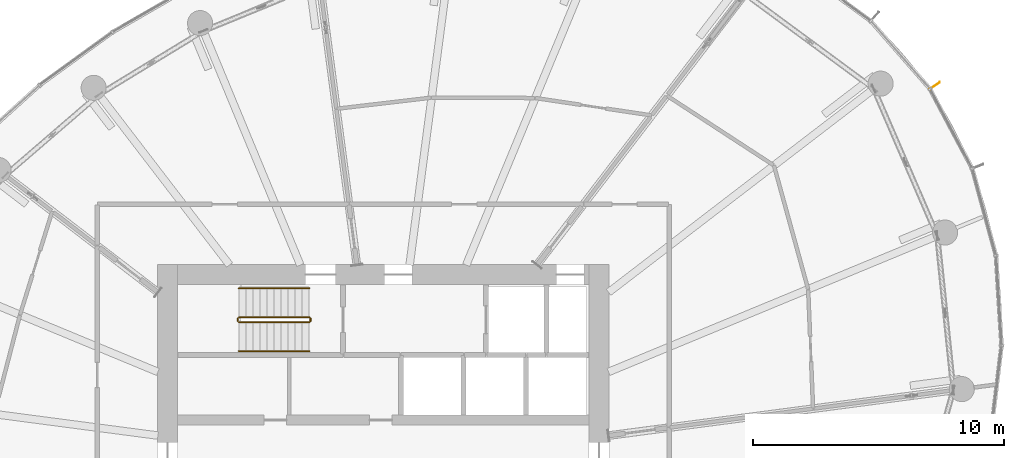
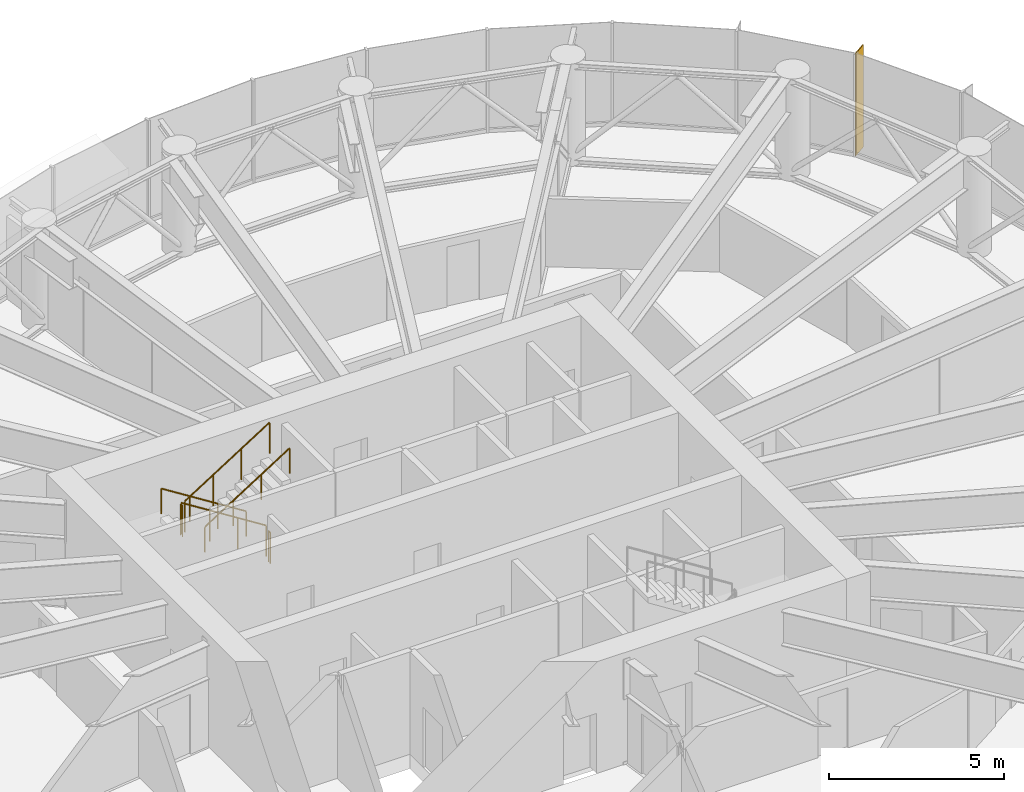
# One storey, part 24 of 25: 6 railings, 1 shading device.
"""IFC4 building model written with IfcOpenShell, lengths in metres."""

from ifc_helpers import new_model, si_unit, direction, frame, origin, origin_2d, place, context, subcontext, project, spatial, rectangle, circle, extrude, source, transform, mapped, material, material_profile, profile_set, type_object, element, save


model = new_model("IFC4")

# Units and contexts
model_context = context("Model", 3, precision=1e-05, world=origin(), true_north=direction((0.0, 1.0)))
body_context = subcontext(model_context, "Body", "Model", "MODEL_VIEW")
ifc_project = project(units=[si_unit("LENGTHUNIT", "METRE"), si_unit("AREAUNIT", "SQUARE_METRE"), si_unit("VOLUMEUNIT", "CUBIC_METRE"), si_unit("PLANEANGLEUNIT", "RADIAN"), si_unit("MASSUNIT", "GRAM", prefix="KILO")], contexts=[model_context])

# Site, building, storey
site_placement = place(None, origin())
site = spatial("IfcSite", under=ifc_project, at=site_placement, CompositionType="ELEMENT")
building_placement = place(site_placement, origin())
building = spatial("IfcBuilding", under=site, at=building_placement, Name="Spindrift Exchange Tower", CompositionType="ELEMENT")
storey_placement = place(building_placement, frame((0.0, 0.0, 179.89990234375)))
storey = spatial("IfcBuildingStorey", under=building, at=storey_placement, Name="L43", CompositionType="ELEMENT", Elevation=179.89990234375)

# Railings
ifc_material_1 = material(Name="Steel balustrade", Category="steel")
railing_type_1 = type_object("IfcRailingType", Name="RL-STAIR-GUARD", PredefinedType="GUARDRAIL", material=ifc_material_1)
railing_1_placement = place(storey_placement, frame((49.050048828125, 53.89990234375, 0.177490234375)))
element("IfcRailing", 1, at=railing_1_placement, inside=storey, type_object=railing_type_1, Name="L43 ST1 stair guard 1", PredefinedType="GUARDRAIL", context=body_context, shape_type="SweptSolid", body=[
    extrude(circle(Radius=0.02392578125, at=origin_2d()), frame((0.0, 0.0, 1.076171875), z_axis=(-0.844908973607, 0.0, 0.534910110503), x_axis=(0.0, -1.0, 0.0)), (0.0, 0.0, 1.0), 3.31396484375),
    extrude(circle(Radius=0.02099609375, at=origin_2d()), origin(), (0.0, 0.0, 1.0), 1.052001953125),
    extrude(circle(Radius=0.02099609375, at=origin_2d()), frame((-0.933349609375, 0.0, 0.5908203125)), (0.0, 0.0, 1.0), 1.052001953125),
    extrude(circle(Radius=0.02099609375, at=origin_2d()), frame((-1.86669921875, 0.0, 1.181884765625)), (0.0, 0.0, 1.0), 1.052001953125),
    extrude(circle(Radius=0.02099609375, at=origin_2d()), frame((-2.800048828125, 0.0, 1.772705078125)), (0.0, 0.0, 1.0), 1.052001953125),
])
railing_2_placement = place(storey_placement, frame((46.199951171875, 53.85009765625, 1.9501953125)))
element("IfcRailing", 2, at=railing_2_placement, inside=storey, type_object=railing_type_1, Name="L43 ST1 stair guard 2", PredefinedType="GUARDRAIL", context=body_context, shape_type="SweptSolid", body=[
    extrude(circle(Radius=0.02392578125, at=origin_2d()), frame((0.0, 0.0, 1.076171875), z_axis=(0.0, -1.0, 0.0), x_axis=(1.0, 0.0, 0.0)), (0.0, 0.0, 1.0), 0.10009765625),
    extrude(circle(Radius=0.02099609375, at=origin_2d()), origin(), (0.0, 0.0, 1.0), 1.052001953125),
    extrude(circle(Radius=0.02099609375, at=origin_2d()), frame((0.0, -0.10009765625, 0.0)), (0.0, 0.0, 1.0), 1.052001953125),
])
railing_3_placement = place(storey_placement, frame((46.25, 53.699951171875, 2.12744140625)))
element("IfcRailing", 3, at=railing_3_placement, inside=storey, type_object=railing_type_1, Name="L43 ST1 stair guard 3", PredefinedType="GUARDRAIL", context=body_context, shape_type="SweptSolid", body=[
    extrude(circle(Radius=0.02392578125, at=origin_2d()), frame((0.0, 0.0, 1.076171875), z_axis=(0.844908973607, 0.0, 0.534910110503), x_axis=(0.0, 1.0, 0.0)), (0.0, 0.0, 1.0), 3.31396484375),
    extrude(circle(Radius=0.02099609375, at=origin_2d()), origin(), (0.0, 0.0, 1.0), 1.052001953125),
    extrude(circle(Radius=0.02099609375, at=origin_2d()), frame((0.933349609375, 0.0, 0.5908203125)), (0.0, 0.0, 1.0), 1.052001953125),
    extrude(circle(Radius=0.02099609375, at=origin_2d()), frame((1.86669921875, 0.0, 1.181884765625)), (0.0, 0.0, 1.0), 1.052001953125),
    extrude(circle(Radius=0.02099609375, at=origin_2d()), frame((2.800048828125, 0.0, 1.772705078125)), (0.0, 0.0, 1.0), 1.052001953125),
])
railing_4_placement = place(storey_placement, frame((49.10009765625, 53.85009765625, 0.0)))
element("IfcRailing", 4, at=railing_4_placement, inside=storey, type_object=railing_type_1, Name="L43 ST1 stair guard 4", PredefinedType="GUARDRAIL", context=body_context, shape_type="SweptSolid", body=[
    extrude(circle(Radius=0.02392578125, at=origin_2d()), frame((0.0, 0.0, 1.076171875), z_axis=(0.0, -1.0, 0.0), x_axis=(1.0, 0.0, 0.0)), (0.0, 0.0, 1.0), 0.10009765625),
    extrude(circle(Radius=0.02099609375, at=origin_2d()), origin(), (0.0, 0.0, 1.0), 1.052001953125),
    extrude(circle(Radius=0.02099609375, at=origin_2d()), frame((0.0, -0.10009765625, 0.0)), (0.0, 0.0, 1.0), 1.052001953125),
])
ifc_material_2 = material(Name="Steel tubular handrail", Category="steel")
railing_type_2 = type_object("IfcRailingType", Name="RL-STAIR-HAND", PredefinedType="HANDRAIL", material=ifc_material_2)
railing_5_placement = place(storey_placement, frame((49.050048828125, 55.050048828125, 0.177490234375)))
element("IfcRailing", 5, at=railing_5_placement, inside=storey, type_object=railing_type_2, Name="L43 ST1 stair handrail 1", PredefinedType="HANDRAIL", context=body_context, shape_type="SweptSolid", body=[
    extrude(circle(Radius=0.02392578125, at=origin_2d()), frame((0.0, 0.0, 0.8759765625), z_axis=(-0.844908973607, 0.0, 0.534910110503), x_axis=(0.0, -1.0, 0.0)), (0.0, 0.0, 1.0), 3.31396484375),
    extrude(circle(Radius=0.02099609375, at=origin_2d()), origin(), (0.0, 0.0, 1.0), 0.851806640625),
    extrude(circle(Radius=0.02099609375, at=origin_2d()), frame((-0.933349609375, 0.0, 0.5908203125)), (0.0, 0.0, 1.0), 0.851806640625),
    extrude(circle(Radius=0.02099609375, at=origin_2d()), frame((-1.86669921875, 0.0, 1.181884765625)), (0.0, 0.0, 1.0), 0.851806640625),
    extrude(circle(Radius=0.02099609375, at=origin_2d()), frame((-2.800048828125, 0.0, 1.772705078125)), (0.0, 0.0, 1.0), 0.851806640625),
])
railing_6_placement = place(storey_placement, frame((46.25, 52.550048828125, 2.12744140625)))
element("IfcRailing", 6, at=railing_6_placement, inside=storey, type_object=railing_type_2, Name="L43 ST1 stair handrail 2", PredefinedType="HANDRAIL", context=body_context, shape_type="SweptSolid", body=[
    extrude(circle(Radius=0.02392578125, at=origin_2d()), frame((0.0, 0.0, 0.8759765625), z_axis=(0.844908973607, 0.0, 0.534910110503), x_axis=(0.0, 1.0, 0.0)), (0.0, 0.0, 1.0), 3.31396484375),
    extrude(circle(Radius=0.02099609375, at=origin_2d()), origin(), (0.0, 0.0, 1.0), 0.851806640625),
    extrude(circle(Radius=0.02099609375, at=origin_2d()), frame((0.933349609375, 0.0, 0.5908203125)), (0.0, 0.0, 1.0), 0.851806640625),
    extrude(circle(Radius=0.02099609375, at=origin_2d()), frame((1.86669921875, 0.0, 1.181884765625)), (0.0, 0.0, 1.0), 0.851806640625),
    extrude(circle(Radius=0.02099609375, at=origin_2d()), frame((2.800048828125, 0.0, 1.772705078125)), (0.0, 0.0, 1.0), 0.851806640625),
])

# Shading device
ifc_material_3 = material(Name="Bronze anodised aluminium", Category="aluminium")
ifc_material_profile = material_profile(ifc_material_3, rectangle(XDim=0.030029296875, YDim=0.5, at=origin_2d()), Name="WIND FIN 30X500")
ifc_profile_set = profile_set([ifc_material_profile], Name="Bronze anodised aluminium")
shading_device_type = type_object("IfcShadingDeviceType", Name="WIND FIN 30X500", PredefinedType="USERDEFINED", material=ifc_profile_set)
shared_shape = source(origin(), body_context, "Body", "SweptSolid", [
    extrude(rectangle(XDim=0.030029296875, YDim=0.5, at=origin_2d()), origin(), (0.0, 0.0, 1.0), 3.580078125),
])
shading_device_placement = place(storey_placement, frame((73.978515625, 63.12744140625, 0.0), z_axis=(0.0, 0.0, 1.0), x_axis=(-0.566967070569, 0.823740457238, 0.0)))
element("IfcShadingDevice", 7, at=shading_device_placement, inside=storey, type_object=shading_device_type, Name="L43 wind fin 2", ObjectType="FIN", PredefinedType="USERDEFINED", context=body_context, shape_type="MappedRepresentation", body=[
    mapped(shared_shape, transform((0.0, 0.0, 0.0), scale=1.0)),
])

save(model, "model.ifc")
